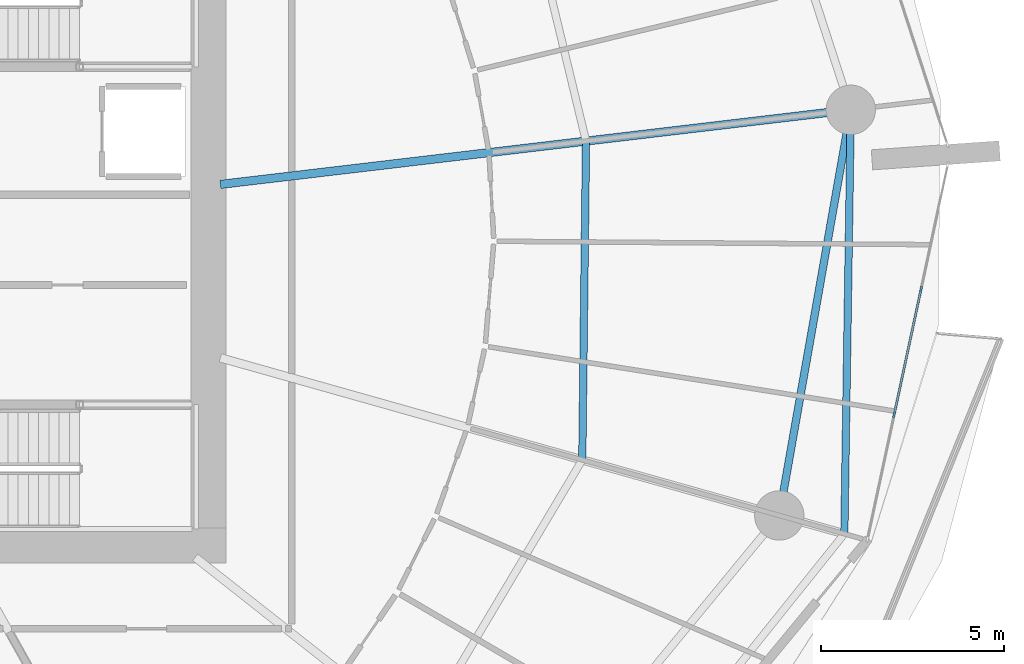
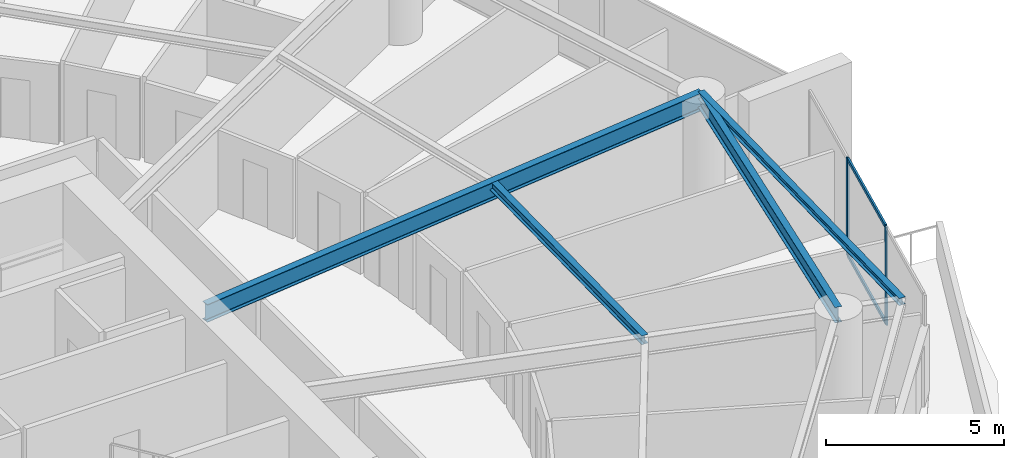
# One storey, part 11 of 31: 4 beams, 4 members, 1 element without a shape of its own.
"""IFC4 building model written with IfcOpenShell, lengths in metres."""

import ifcopenshell
import ifcopenshell.guid

model = None  # the IFC model being written
_history = None  # IfcOwnerHistory: only IFC2X3 demands one
_inside = {}  # id of a spatial element -> (the spatial element, [elements in it])
_under = {}  # id of a project, library or spatial element -> (it, [spatial elements below it])
_declared = {}  # id of a project -> (the project, [libraries it declares])
_typed = {}  # id of a type object -> (the type object, [elements of that type])
_made_of = {}  # id of a material, layer set ... -> (it, [elements and type objects made of it])


def new_model(schema):
    """Start an empty IFC model of exactly this schema.

    Asked for "IFC4X3", IfcOpenShell would pick the latest addendum, in which some entities
    have other attributes; the version numbers below select the first issue.
    IFC2X3 requires an IfcOwnerHistory on every rooted entity: one is made here for all.
    """
    global model, _history
    if schema == "IFC4X3":
        model = ifcopenshell.file(schema_version=(4, 3, 0, 0))
    else:
        model = ifcopenshell.file(schema=schema)
    _inside.clear()
    _under.clear()
    _declared.clear()
    _typed.clear()
    _made_of.clear()
    _history = None
    if model.schema == "IFC2X3":
        org = make("IfcOrganization", Name="unknown")
        user = make(
            "IfcPersonAndOrganization",
            ThePerson=make("IfcPerson", FamilyName="unknown"),
            TheOrganization=org,
        )
        app = make(
            "IfcApplication",
            ApplicationDeveloper=org,
            Version="unknown",
            ApplicationFullName="unknown",
            ApplicationIdentifier="unknown",
        )
        _history = make(
            "IfcOwnerHistory",
            OwningUser=user,
            OwningApplication=app,
            ChangeAction="ADDED",
            CreationDate=0,
        )
    return model


def make(cls, **values):
    """One entity of the class cls with the attributes given. An attribute that is None is left unset."""
    return model.create_entity(
        cls, **{name: value for name, value in values.items() if value is not None}
    )


def rooted(cls, **values):
    """An entity with a GlobalId (a new one), such as an element, a storey or a relation."""
    return make(cls, GlobalId=ifcopenshell.guid.new(), OwnerHistory=_history, **values)


def si_unit(unit_type, name, prefix=None):
    """IfcSIUnit, for example si_unit("LENGTHUNIT", "METRE", prefix="MILLI")."""
    return make("IfcSIUnit", UnitType=unit_type, Prefix=prefix, Name=name)


def assignment(units):
    """IfcUnitAssignment: the units of a project."""
    return None if units is None else make("IfcUnitAssignment", Units=units)


def point(xyz):
    """IfcCartesianPoint."""
    return None if xyz is None else make("IfcCartesianPoint", Coordinates=xyz)


def direction(xyz):
    """IfcDirection."""
    return None if xyz is None else make("IfcDirection", DirectionRatios=xyz)


def frame(location, z_axis=None, x_axis=None):
    """IfcAxis2Placement3D, a coordinate frame: its origin and axes. An axis left out is left unset."""
    return make(
        "IfcAxis2Placement3D",
        Location=point(location),
        Axis=direction(z_axis),
        RefDirection=direction(x_axis),
    )


def frame_2d(location, x_axis=None):
    """IfcAxis2Placement2D, a coordinate frame in the plane: its origin and x axis."""
    return make(
        "IfcAxis2Placement2D", Location=point(location), RefDirection=direction(x_axis)
    )


def origin():
    """The frame at (0, 0, 0) with its axes left unset."""
    return frame((0.0, 0.0, 0.0))


def origin_2d():
    """The frame at (0, 0) in the plane with its x axis left unset."""
    return frame_2d((0.0, 0.0))


def place(relative_to, where):
    """IfcLocalPlacement: puts the frame where relative to a parent placement (None: the world)."""
    return make(
        "IfcLocalPlacement", PlacementRelTo=relative_to, RelativePlacement=where
    )


def context(
    kind, dimensions, precision=None, world=None, true_north=None, identifier=None
):
    """IfcGeometricRepresentationContext, for example the 3D "Model" context."""
    return make(
        "IfcGeometricRepresentationContext",
        ContextIdentifier=identifier,
        ContextType=kind,
        CoordinateSpaceDimension=dimensions,
        Precision=precision,
        WorldCoordinateSystem=world,
        TrueNorth=true_north,
    )


def subcontext(parent, identifier, kind, view, scale=None):
    """IfcGeometricRepresentationSubContext, for example "Body" below "Model"."""
    return make(
        "IfcGeometricRepresentationSubContext",
        ContextIdentifier=identifier,
        ContextType=kind,
        ParentContext=parent,
        TargetScale=scale,
        TargetView=view,
    )


def project(units=None, contexts=None):
    """IfcProject with its units and contexts."""
    return rooted(
        "IfcProject",
        Name="project",
        RepresentationContexts=contexts,
        UnitsInContext=assignment(units),
    )


def spatial(cls, under=None, at=None, **own):
    """A site, building, storey or space (cls), placed at a placement, below another one or the project."""
    s = rooted(cls, ObjectPlacement=at, **own)
    if under is not None:
        _under.setdefault(under.id(), (under, []))[1].append(s)
    return s


def profile(cls, at=None, kind="AREA", **sizes):
    """A parametric profile (cls). Its sizes go by their IFC names, for example OverallWidth=200.0."""
    return make(cls, ProfileType=kind, Position=at, **sizes)


def rectangle(**sizes):
    """IfcRectangleProfileDef."""
    return profile("IfcRectangleProfileDef", **sizes)


def i_section(**sizes):
    """IfcIShapeProfileDef."""
    return profile("IfcIShapeProfileDef", **sizes)


def extrude(swept, where, along, depth):
    """IfcExtrudedAreaSolid: the profile swept, set in the frame where, extruded along a direction by depth."""
    return make(
        "IfcExtrudedAreaSolid",
        SweptArea=swept,
        Position=where,
        ExtrudedDirection=direction(along),
        Depth=depth,
    )


def shape(context_of_items, identifier, shape_type, items):
    """IfcShapeRepresentation: the items that make up one representation, for example the "Body"."""
    return make(
        "IfcShapeRepresentation",
        ContextOfItems=context_of_items,
        RepresentationIdentifier=identifier,
        RepresentationType=shape_type,
        Items=items,
    )


def material(Name=None, Category=None):
    """IfcMaterial."""
    return make("IfcMaterial", Name=Name, Category=Category)


def layer(
    of_material, thickness, ventilated=None, Name=None, Category=None, Priority=None
):
    """IfcMaterialLayer: one layer of a wall or slab, of a material (None: an air gap)."""
    return make(
        "IfcMaterialLayer",
        Material=of_material,
        LayerThickness=thickness,
        IsVentilated=ventilated,
        Name=Name,
        Category=Category,
        Priority=Priority,
    )


def layer_set(layers, Name=None):
    """IfcMaterialLayerSet."""
    return make("IfcMaterialLayerSet", MaterialLayers=layers, LayerSetName=Name)


def material_profile(
    of_material, cross_section, Name=None, Category=None, Priority=None
):
    """IfcMaterialProfile: a cross section and its material."""
    return make(
        "IfcMaterialProfile",
        Name=Name,
        Material=of_material,
        Profile=cross_section,
        Priority=Priority,
        Category=Category,
    )


def profile_set(profiles, Name=None, composite=None):
    """IfcMaterialProfileSet."""
    return make(
        "IfcMaterialProfileSet",
        Name=Name,
        MaterialProfiles=profiles,
        CompositeProfile=composite,
    )


def made_of(thing, what):
    """Note that an element or type object is made of a material, layer set ...; save() writes the relation."""
    if what is not None:
        _made_of.setdefault(what.id(), (what, []))[1].append(thing)
    return thing


def type_object(cls, material=None, **own):
    """A type object (cls), such as IfcWallType, which elements share."""
    return made_of(rooted(cls, **own), material)


def element(
    cls,
    number,
    at=None,
    inside=None,
    cuts=None,
    type_object=None,
    material=None,
    context=None,
    identifier="Body",
    shape_type=None,
    held_by="IfcProductDefinitionShape",
    body=None,
    shapes=None,
    **own,
):
    """One element of the class cls, such as IfcWall. Its Tag is "e" and its number.

    at: its placement. inside: the storey or other place that contains it. cuts: it is an
    opening in that element (IfcRelVoidsElement). A single representation is given by context,
    identifier, shape_type and body (its items); several are given by shapes. held_by: the class
    of the entity that holds the representations. save() writes the other relations.
    """
    e = rooted(cls, Tag="e%d" % number, ObjectPlacement=at, **own)
    if body is not None:
        shapes = [shape(context, identifier, shape_type, body)]
    if shapes is not None:
        e.Representation = make(held_by, Representations=shapes)
    if inside is not None:
        _inside.setdefault(inside.id(), (inside, []))[1].append(e)
    if cuts is not None:
        rooted(
            "IfcRelVoidsElement", RelatingBuildingElement=cuts, RelatedOpeningElement=e
        )
    if type_object is not None:
        _typed.setdefault(type_object.id(), (type_object, []))[1].append(e)
    return made_of(e, material)


def aggregate(whole, parts):
    """IfcRelAggregates: a whole, such as a stair, and the parts it consists of."""
    return rooted("IfcRelAggregates", RelatingObject=whole, RelatedObjects=parts)


def save(model, path):
    """Write the relations noted so far, then the file.

    IfcRelAggregates (storeys below a building ...), IfcRelContainedInSpatialStructure (elements
    in a storey), IfcRelDefinesByType, IfcRelAssociatesMaterial and IfcRelDeclares: one each for
    every whole, place, type object, material and project.
    """
    for whole, parts in _under.values():
        aggregate(whole, parts)
    for where, things in _inside.values():
        rooted(
            "IfcRelContainedInSpatialStructure",
            RelatedElements=things,
            RelatingStructure=where,
        )
    for kind, things in _typed.values():
        rooted("IfcRelDefinesByType", RelatedObjects=things, RelatingType=kind)
    for what, things in _made_of.values():
        rooted("IfcRelAssociatesMaterial", RelatedObjects=things, RelatingMaterial=what)
    for by, libraries in _declared.values():
        rooted("IfcRelDeclares", RelatingContext=by, RelatedDefinitions=libraries)
    model.write(path)


model = new_model("IFC4")

# Units and contexts
model_context = context("Model", 3, precision=1e-05, world=origin(), true_north=direction((0.0, 1.0)))
body_context = subcontext(model_context, "Body", "Model", "MODEL_VIEW")
ifc_project = project(units=[si_unit("LENGTHUNIT", "METRE"), si_unit("AREAUNIT", "SQUARE_METRE"), si_unit("VOLUMEUNIT", "CUBIC_METRE"), si_unit("PLANEANGLEUNIT", "RADIAN"), si_unit("MASSUNIT", "GRAM", prefix="KILO")], contexts=[model_context])

# Site, building, storey
site_placement = place(None, origin())
site = spatial("IfcSite", under=ifc_project, at=site_placement, CompositionType="ELEMENT")
building_placement = place(site_placement, origin())
building = spatial("IfcBuilding", under=site, at=building_placement, Name="Kazma Halo Residences", CompositionType="ELEMENT")
storey_placement = place(building_placement, frame((0.0, 0.0, 67.64990234375)))
storey = spatial("IfcBuildingStorey", under=building, at=storey_placement, Name="L16", CompositionType="ELEMENT", Elevation=67.64990234375)

# Beams
ifc_material_1 = material(Name="Steel S355", Category="steel")
ifc_material_profile_1 = material_profile(ifc_material_1, i_section(OverallWidth=0.201904296875, OverallDepth=0.2470703125, WebThickness=0.00732421875, FlangeThickness=0.010986328125, FilletRadius=0.011962890625, at=origin_2d()), Name="W250x49.1")
ifc_profile_set_1 = profile_set([ifc_material_profile_1], Name="Steel S355")
beam_type_1 = type_object("IfcBeamType", Name="BM-BAL-CANT", PredefinedType="BEAM", material=ifc_profile_set_1)
beam_1_placement = place(storey_placement, frame((76.92138671875, 33.84326171875, 3.2265625), z_axis=(0.015213846033, 0.999884262747, 0.0), x_axis=(-0.999884262747, 0.015213846033, 0.0)))
element("IfcBeam", 1, at=beam_1_placement, inside=storey, type_object=beam_type_1, Name="L16 wave-balcony tie beam 15", PredefinedType="BEAM", context=body_context, shape_type="SweptSolid", body=[
    extrude(i_section(OverallWidth=0.201904296875, OverallDepth=0.2470703125, WebThickness=0.00732421875, FlangeThickness=0.010986328125, FilletRadius=0.011962890625, at=origin_2d()), origin(), (0.0, 0.0, 1.0), 11.602294921875),
])
ifc_material_profile_2 = material_profile(ifc_material_1, i_section(OverallWidth=0.22802734375, OverallDepth=0.60791015625, WebThickness=0.01123046875, FlangeThickness=0.017333984375, FilletRadius=0.01806640625, at=origin_2d()), Name="W610x113")
ifc_profile_set_2 = profile_set([ifc_material_profile_2], Name="Steel S355")
beam_type_2 = type_object("IfcBeamType", Name="BM-RAD-W610", PredefinedType="BEAM", material=ifc_profile_set_2)
beam_2_placement = place(storey_placement, frame((59.85009765625, 43.402587890625, 3.046142578125), z_axis=(0.993067839154, 0.117542617111, 0.0), x_axis=(-0.117542617111, 0.993067839154, 0.0)))
element("IfcBeam", 2, at=beam_2_placement, inside=storey, type_object=beam_type_2, Name="L16 radial floor beam 16", PredefinedType="BEAM", context=body_context, shape_type="SweptSolid", body=[
    extrude(i_section(OverallWidth=0.22802734375, OverallDepth=0.60791015625, WebThickness=0.01123046875, FlangeThickness=0.017333984375, FilletRadius=0.01806640625, at=origin_2d()), origin(), (0.0, 0.0, 1.0), 17.3681640625),
])
ifc_material_profile_3 = material_profile(ifc_material_1, i_section(OverallWidth=0.202880859375, OverallDepth=0.302978515625, WebThickness=0.007568359375, FlangeThickness=0.01318359375, FilletRadius=0.013916015625, at=origin_2d()), Name="W310x60")
ifc_profile_set_3 = profile_set([ifc_material_profile_3], Name="Steel S355")
beam_type_3 = type_object("IfcBeamType", Name="BM-SEC-W310A", PredefinedType="JOIST", material=ifc_profile_set_3)
beam_3_placement = place(storey_placement, frame((69.75146484375, 35.865478515625, 3.198486328125), z_axis=(0.011728659646, 0.999931216906, 0.0), x_axis=(-0.999931216906, 0.011728659646, 0.0)))
element("IfcBeam", 3, at=beam_3_placement, inside=storey, type_object=beam_type_3, Name="L16 circumferential floor joist 15", PredefinedType="JOIST", context=body_context, shape_type="SweptSolid", body=[
    extrude(i_section(OverallWidth=0.202880859375, OverallDepth=0.302978515625, WebThickness=0.007568359375, FlangeThickness=0.01318359375, FilletRadius=0.013916015625, at=origin_2d()), origin(), (0.0, 0.0, 1.0), 8.7216796875),
])
ifc_material_profile_4 = material_profile(ifc_material_1, i_section(OverallWidth=0.208984375, OverallDepth=0.532958984375, WebThickness=0.01025390625, FlangeThickness=0.015625, FilletRadius=0.01611328125, at=origin_2d()), Name="W530x92")
ifc_profile_set_4 = profile_set([ifc_material_profile_4], Name="Steel S355")
beam_type_4 = type_object("IfcBeamType", Name="BM-SPN-W530", PredefinedType="BEAM", material=ifc_profile_set_4)
beam_4_placement = place(storey_placement, frame((75.140869140625, 34.345458984375, 3.08349609375), z_axis=(0.173651864005, 0.984807103004, 0.0), x_axis=(-0.984807103004, 0.173651864005, 0.0)))
element("IfcBeam", 4, at=beam_4_placement, inside=storey, type_object=beam_type_4, Name="L16 perimeter ring beam 15", PredefinedType="BEAM", context=body_context, shape_type="SweptSolid", body=[
    extrude(i_section(OverallWidth=0.208984375, OverallDepth=0.532958984375, WebThickness=0.01025390625, FlangeThickness=0.015625, FilletRadius=0.01611328125, at=origin_2d()), origin(), (0.0, 0.0, 1.0), 11.269775390625),
])

# Curtain wall, members
ifc_material_2 = material(Name="Aluminium AW-6063 T6 and Triple-Silver Low-E Glass", Category="aluminium")
ifc_layer = layer(ifc_material_2, 0.159912109375)
ifc_layer_set = layer_set([ifc_layer], Name="Aluminium AW-6063 T6 and Triple-Silver Low-E Glass")
curtain_wall_type = type_object("IfcCurtainWallType", Name="CW-SYS-2", PredefinedType="NOTDEFINED", material=ifc_layer_set)
curtain_wall_placement = place(storey_placement, origin())
curtain_wall = element("IfcCurtainWall", 5, at=curtain_wall_placement, inside=storey, type_object=curtain_wall_type, Name="L16 unitised curtain wall B15", PredefinedType="NOTDEFINED")
ifc_material_3 = material(Name="Aluminium AW-6063 T6", Category="aluminium")
ifc_material_profile_5 = material_profile(ifc_material_3, rectangle(XDim=0.06005859375, YDim=0.159912109375, at=origin_2d()), Name="CWM-60x160")
ifc_profile_set_5 = profile_set([ifc_material_profile_5], Name="Aluminium AW-6063 T6")
member_type_1 = type_object("IfcMemberType", Name="CW-SYS-2-MUL", PredefinedType="MULLION", material=ifc_profile_set_5)
member_1_placement = place(storey_placement, frame((78.282958984375, 37.101318359375, 0.0), z_axis=(0.0, 0.0, 1.0), x_axis=(-0.977779215096, 0.209637321406, 0.0)))
member_1 = element("IfcMember", 6, at=member_1_placement, type_object=member_type_1, Name="CWS-2 mullion 2", PredefinedType="MULLION", context=body_context, shape_type="SweptSolid", body=[
    extrude(rectangle(XDim=0.06005859375, YDim=0.159912109375, at=origin_2d()), origin(), (0.0, 0.0, 1.0), 3.35009765625),
])
member_2_placement = place(storey_placement, frame((79.019287109375, 40.53564453125, 0.0), z_axis=(0.0, 0.0, 1.0), x_axis=(-0.977779215096, 0.209637321406, 0.0)))
member_2 = element("IfcMember", 7, at=member_2_placement, type_object=member_type_1, Name="CWS-2 mullion 3", PredefinedType="MULLION", context=body_context, shape_type="SweptSolid", body=[
    extrude(rectangle(XDim=0.06005859375, YDim=0.159912109375, at=origin_2d()), origin(), (0.0, 0.0, 1.0), 3.35009765625),
])
ifc_material_profile_6 = material_profile(ifc_material_3, rectangle(XDim=0.06005859375, YDim=0.1201171875, at=origin_2d()), Name="CWT-60x120")
ifc_profile_set_6 = profile_set([ifc_material_profile_6], Name="Aluminium AW-6063 T6")
member_type_2 = type_object("IfcMemberType", Name="CW-SYS-2-TRN", PredefinedType="USERDEFINED", material=ifc_profile_set_6)
member_3_placement = place(storey_placement, frame((78.289306640625, 37.130615234375, 0.030029296875), z_axis=(0.209669136217, 0.977772393412, 0.0), x_axis=(-0.977772393412, 0.209669136217, 0.0)))
member_3 = element("IfcMember", 8, at=member_3_placement, type_object=member_type_2, Name="CWS-2 transom 2.1", ObjectType="TRANSOM", PredefinedType="USERDEFINED", context=body_context, shape_type="SweptSolid", body=[
    extrude(rectangle(XDim=0.06005859375, YDim=0.1201171875, at=origin_2d()), origin(), (0.0, 0.0, 1.0), 3.452392578125),
])
member_4_placement = place(storey_placement, frame((78.289306640625, 37.130615234375, 3.320068359375), z_axis=(0.209669136217, 0.977772393412, 0.0), x_axis=(-0.977772393412, 0.209669136217, 0.0)))
member_4 = element("IfcMember", 9, at=member_4_placement, type_object=member_type_2, Name="CWS-2 transom 2.2", ObjectType="TRANSOM", PredefinedType="USERDEFINED", context=body_context, shape_type="SweptSolid", body=[
    extrude(rectangle(XDim=0.06005859375, YDim=0.1201171875, at=origin_2d()), origin(), (0.0, 0.0, 1.0), 3.452392578125),
])
aggregate(curtain_wall, [member_1, member_2, member_3, member_4])

save(model, "model.ifc")
